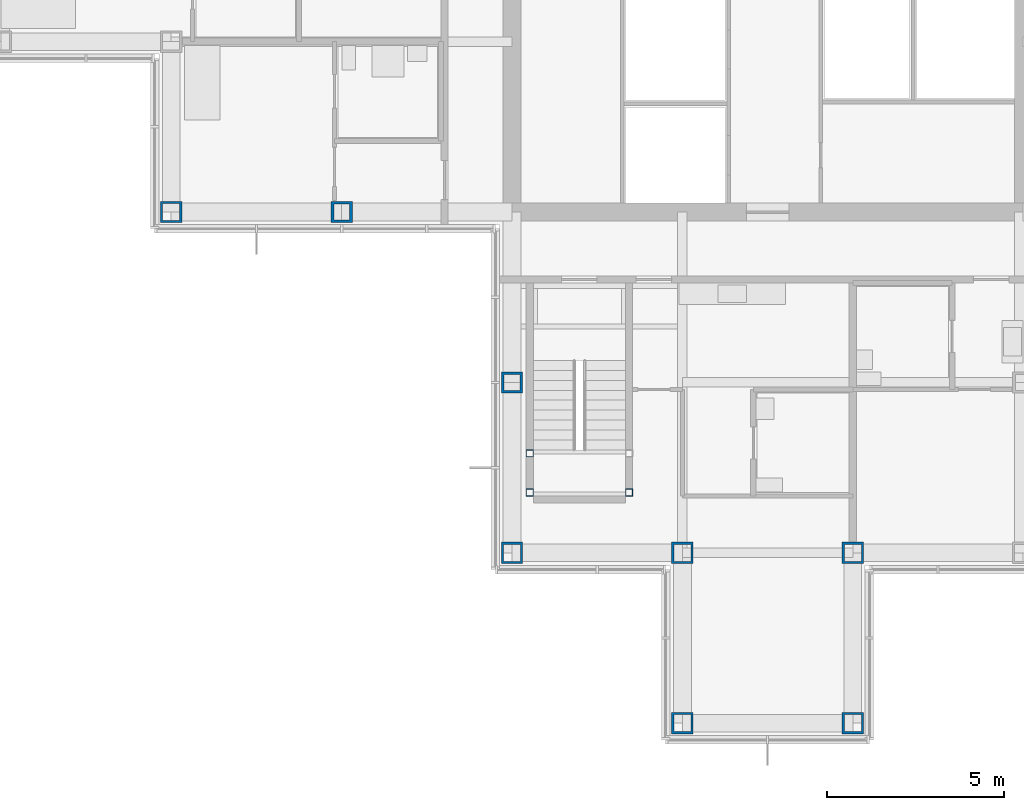
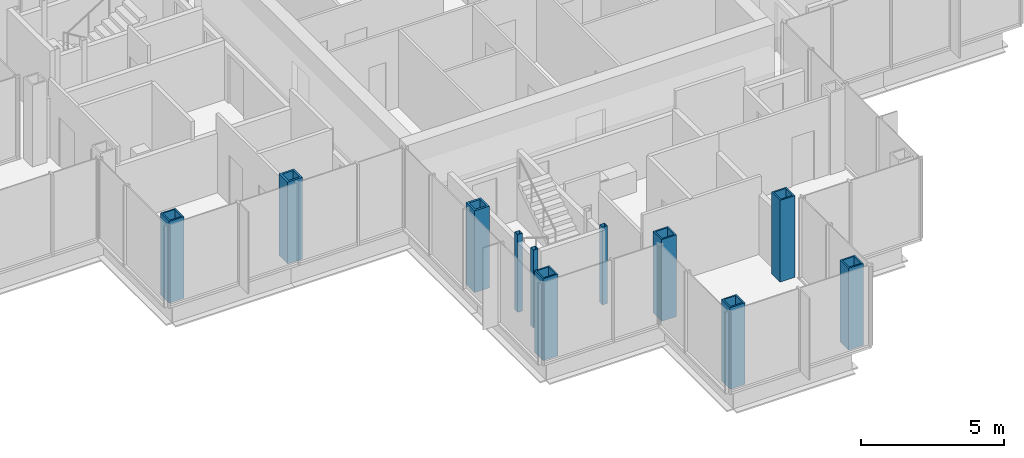
# One storey, part 1 of 17: 11 columns.
"""IFC4 building model written with IfcOpenShell, lengths in metres."""

from ifc_helpers import new_model, si_unit, direction, frame, origin, origin_2d, place, context, subcontext, project, spatial, hollow_rectangle, extrude, material, material_profile, profile_set, type_object, element, save


model = new_model("IFC4")

# Units and contexts
model_context = context("Model", 3, precision=1e-05, world=origin(), true_north=direction((0.0, 1.0)))
body_context = subcontext(model_context, "Body", "Model", "MODEL_VIEW")
ifc_project = project(units=[si_unit("LENGTHUNIT", "METRE"), si_unit("AREAUNIT", "SQUARE_METRE"), si_unit("VOLUMEUNIT", "CUBIC_METRE"), si_unit("PLANEANGLEUNIT", "RADIAN"), si_unit("MASSUNIT", "GRAM", prefix="KILO")], contexts=[model_context])

# Site, building, storey
site_placement = place(None, origin())
site = spatial("IfcSite", under=ifc_project, at=site_placement, CompositionType="ELEMENT")
building_placement = place(site_placement, origin())
building = spatial("IfcBuilding", under=site, at=building_placement, Name="Kvirike Care Tower", CompositionType="ELEMENT")
storey_placement = place(building_placement, frame((0.0, 0.0, 155.0)))
storey = spatial("IfcBuildingStorey", under=building, at=storey_placement, Name="L42", CompositionType="ELEMENT", Elevation=155.0)

# Columns
ifc_material_1 = material(Name="Steel S460", Category="steel")
ifc_material_profile_1 = material_profile(ifc_material_1, hollow_rectangle(XDim=0.60009765625, YDim=0.60009765625, WallThickness=0.06005859375, at=origin_2d()), Name="BX 600x600x60")
ifc_profile_set_1 = profile_set([ifc_material_profile_1], Name="Steel S460")
column_type_1 = type_object("IfcColumnType", Name="COLUMN BX 600x600x60", PredefinedType="COLUMN", material=ifc_profile_set_1)
for number, where, z_axis, x_axis, name in (
    (1, (4.800048828125, 28.800048828125, 0.0), (0.0, 0.0, 1.0), (0.0, 1.0, 0.0), "Column G4 L42"),
    (2, (14.39990234375, 19.199951171875, 0.0), (0.0, 0.0, 1.0), (0.0, 1.0, 0.0), "Column E6 L42"),
    (3, (19.199951171875, 14.39990234375, 0.0), (0.0, 0.0, 1.0), (0.0, 1.0, 0.0), "Column D7 L42"),
    (4, (19.199951171875, 19.199951171875, 0.0), (0.0, 0.0, 1.0), (0.0, 1.0, 0.0), "Column E7 L42"),
    (5, (24.0, 14.39990234375, 0.0), (0.0, 0.0, 1.0), (0.0, 1.0, 0.0), "Column D8 L42"),
    (6, (24.0, 19.199951171875, 0.0), (0.0, 0.0, 1.0), (0.0, 1.0, 0.0), "Column E8 L42"),
):
    element("IfcColumn", number, at=place(storey_placement, frame(where, z_axis=z_axis, x_axis=x_axis)), inside=storey, type_object=column_type_1, Name=name, PredefinedType="COLUMN", context=body_context, shape_type="SweptSolid", body=[
        extrude(hollow_rectangle(XDim=0.60009765625, YDim=0.60009765625, WallThickness=0.06005859375, at=origin_2d()), origin(), (0.0, 0.0, 1.0), 3.5),
    ])
ifc_material_2 = material(Name="Steel S460", Category="steel")
ifc_material_profile_2 = material_profile(ifc_material_2, hollow_rectangle(XDim=0.60009765625, YDim=0.60009765625, WallThickness=0.080078125, at=origin_2d()), Name="BX 600x600x80")
ifc_profile_set_2 = profile_set([ifc_material_profile_2], Name="Steel S460")
column_type_2 = type_object("IfcColumnType", Name="COLUMN BX 600x600x80", PredefinedType="COLUMN", material=ifc_profile_set_2)
for number, where, z_axis, x_axis, name in (
    (7, (9.60009765625, 28.800048828125, 0.0), (0.0, 0.0, 1.0), (0.0, 1.0, 0.0), "Column G5 L42"),
    (8, (14.39990234375, 24.0, 0.0), (0.0, 0.0, 1.0), (1.0, 0.0, 0.0), "Column F6 L42"),
):
    element("IfcColumn", number, at=place(storey_placement, frame(where, z_axis=z_axis, x_axis=x_axis)), inside=storey, type_object=column_type_2, Name=name, PredefinedType="COLUMN", context=body_context, shape_type="SweptSolid", body=[
        extrude(hollow_rectangle(XDim=0.60009765625, YDim=0.60009765625, WallThickness=0.080078125, at=origin_2d()), origin(), (0.0, 0.0, 1.0), 3.5),
    ])
ifc_material_3 = material(Name="Steel S460", Category="steel")
ifc_material_profile_3 = material_profile(ifc_material_3, hollow_rectangle(XDim=0.199951171875, YDim=0.199951171875, WallThickness=0.008056640625, at=origin_2d()), Name="SHS 200x200x8")
ifc_profile_set_3 = profile_set([ifc_material_profile_3], Name="Steel S460")
column_type_3 = type_object("IfcColumnType", Name="STAIR POST SHS 200x200x8", PredefinedType="COLUMN", material=ifc_profile_set_3)
for number, where, z_axis, x_axis, name in (
    (9, (14.89990234375, 20.89990234375, 0.0), (0.0, 0.0, 1.0), (1.0, 0.0, 0.0), "Stair 5 post 1 L42"),
    (10, (17.699951171875, 20.89990234375, 0.0), (0.0, 0.0, 1.0), (1.0, 0.0, 0.0), "Stair 5 post 2 L42"),
    (11, (14.89990234375, 22.0, 0.0), (0.0, 0.0, 1.0), (1.0, 0.0, 0.0), "Stair 5 post 3 L42"),
):
    element("IfcColumn", number, at=place(storey_placement, frame(where, z_axis=z_axis, x_axis=x_axis)), inside=storey, type_object=column_type_3, Name=name, PredefinedType="COLUMN", context=body_context, shape_type="SweptSolid", body=[
        extrude(hollow_rectangle(XDim=0.199951171875, YDim=0.199951171875, WallThickness=0.008056640625, at=origin_2d()), origin(), (0.0, 0.0, 1.0), 3.330078125),
    ])

save(model, "model.ifc")
